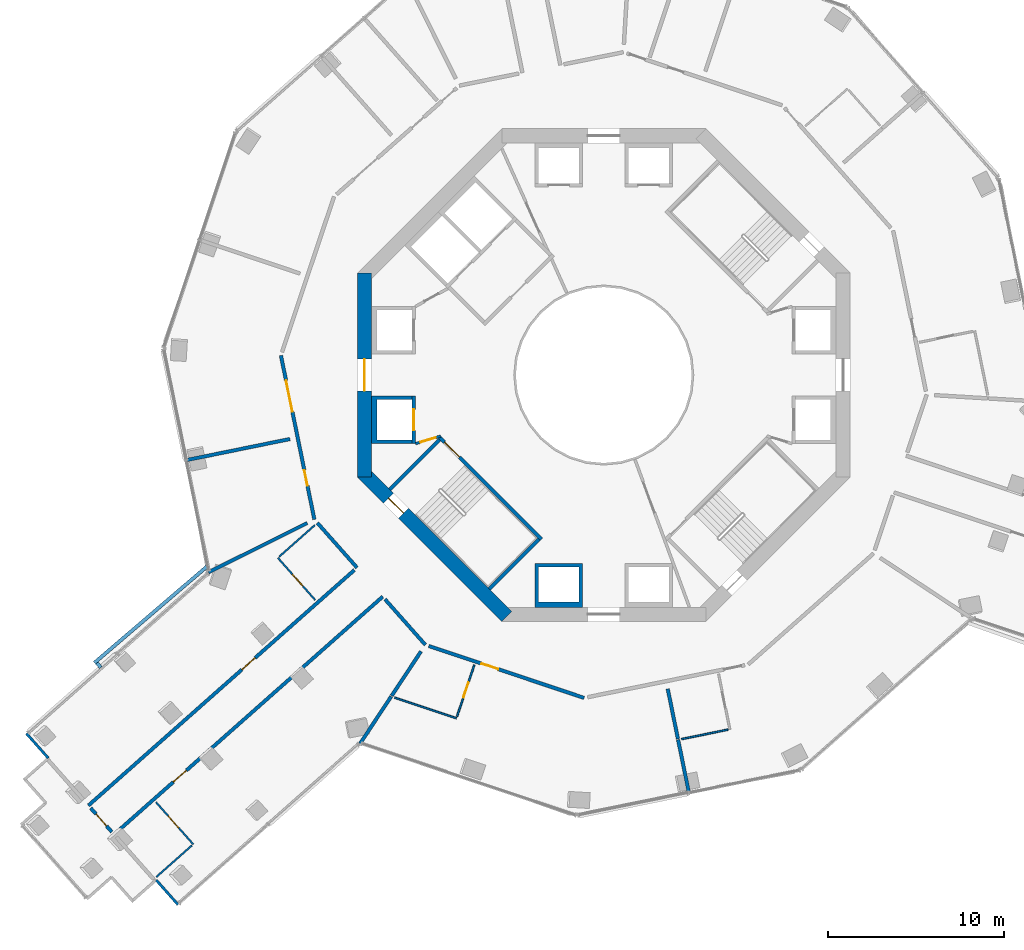
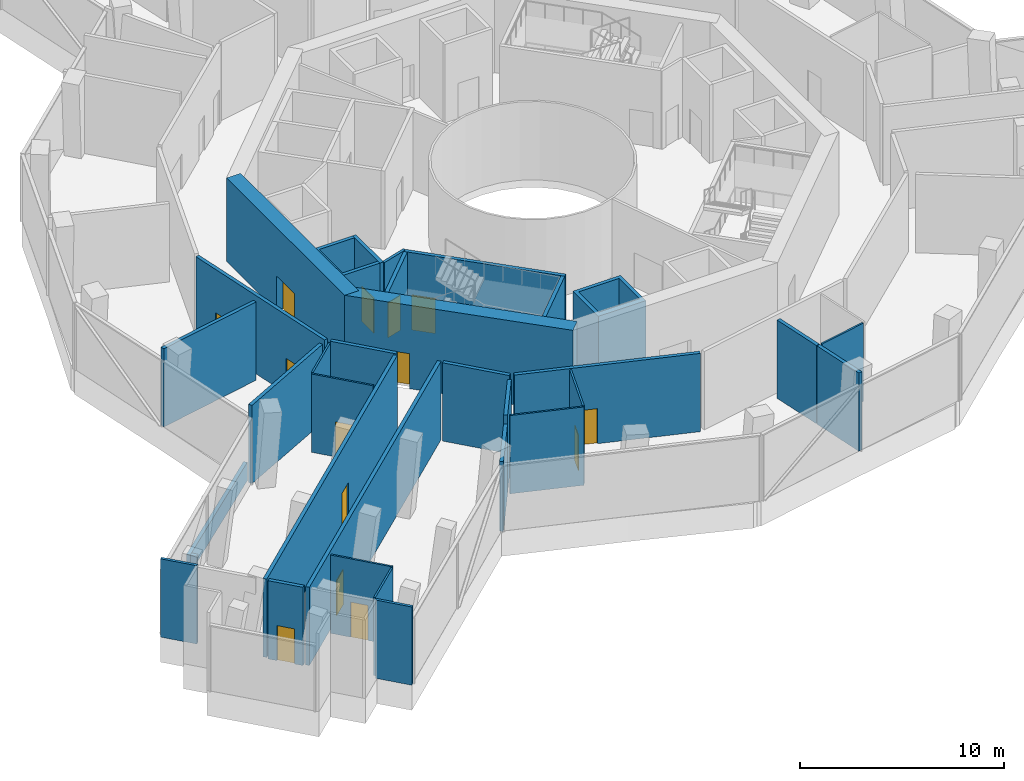
# One storey, part 10 of 20: 33 walls, 14 doors, 14 openings.
"""IFC4 building model written with IfcOpenShell, lengths in metres."""

from ifc_helpers import new_model, si_unit, direction, frame, frame_2d, origin, place, context, subcontext, project, spatial, polyline, rectangle, outline, extrude, material, layer, layer_set, type_object, element, fill, save


model = new_model("IFC4")

# Units and contexts
model_context = context("Model", 3, precision=1e-05, world=origin(), true_north=direction((0.0, 1.0)))
body_context = subcontext(model_context, "Body", "Model", "MODEL_VIEW")
ifc_project = project(units=[si_unit("LENGTHUNIT", "METRE"), si_unit("AREAUNIT", "SQUARE_METRE"), si_unit("VOLUMEUNIT", "CUBIC_METRE"), si_unit("PLANEANGLEUNIT", "RADIAN"), si_unit("MASSUNIT", "GRAM", prefix="KILO")], contexts=[model_context])

# Site, building, storey
site_placement = place(None, origin())
site = spatial("IfcSite", under=ifc_project, at=site_placement, CompositionType="ELEMENT")
building_placement = place(site_placement, origin())
building = spatial("IfcBuilding", under=site, at=building_placement, Name="Verdalira Terraces Hotel", CompositionType="ELEMENT")
storey_placement = place(building_placement, frame((0.0, 0.0, 81.0)))
storey = spatial("IfcBuildingStorey", under=building, at=storey_placement, Name="L18", CompositionType="ELEMENT", Elevation=81.0)

# Wall
ifc_material_1 = material(Name="Moisture-resistant gypsum board partition")
ifc_layer_1 = layer(ifc_material_1, 0.10009765625)
ifc_layer_set_1 = layer_set([ifc_layer_1], Name="Bathroom partition 100 mm")
wall_type_1 = type_object("IfcWallType", Name="Bathroom partition 100 mm", PredefinedType="PARTITIONING", material=ifc_layer_set_1)
wall_1_placement = place(storey_placement, frame((-23.409668, -26.73584, 0.0), z_axis=(0.0, 0.0, 1.0), x_axis=(-0.748709987, -0.662897695, 0.0)))
element("IfcWall", 1, at=wall_1_placement, inside=storey, type_object=wall_type_1, Name="Bathroom partition", PredefinedType="PARTITIONING", context=body_context, shape_type="SweptSolid", body=[
    extrude(rectangle(XDim=2.699951, YDim=0.100098, at=frame_2d((1.350098, 0.0))), origin(), (0.0, 0.0, 1.0), 4.689941),
])

# Wall, opening, door
wall_2_placement = place(storey_placement, frame((-23.334717, -26.669434, 0.0), z_axis=(0.0, 0.0, 1.0), x_axis=(-0.662884973, 0.748721252, 0.0)))
wall_2 = element("IfcWall", 2, at=wall_2_placement, inside=storey, type_object=wall_type_1, Name="Bathroom partition", PredefinedType="PARTITIONING", context=body_context, shape_type="SweptSolid", body=[
    extrude(rectangle(XDim=3.199707, YDim=0.100098, at=frame_2d((1.599854, 0.0))), origin(), (0.0, 0.0, 1.0), 4.689941),
])
opening_1_placement = place(wall_2_placement, frame((1.25, 0.0, 0.0)))
opening_1 = element("IfcOpeningElement", 3, at=opening_1_placement, cuts=wall_2, Name="Opening L18-110", PredefinedType="OPENING", context=body_context, shape_type="SweptSolid", body=[
    extrude(rectangle(XDim=0.899902, YDim=2.100098, at=frame_2d((0.449951, 1.050049))), frame((0.0, 0.060059, 0.0), z_axis=(0.0, -1.0, 0.0), x_axis=(1.0, 0.0, 0.0)), (0.0, 0.0, 1.0), 0.120117),
])
ifc_material_2 = material(Name="Timber door", Category="wood")
door_type_1 = type_object("IfcDoorType", Name="Bathroom door 900 x 2100", OperationType="NOTDEFINED", PredefinedType="DOOR", material=ifc_material_2)
door_1_placement = place(opening_1_placement, origin())
door_1 = element("IfcDoor", 4, at=door_1_placement, inside=storey, type_object=door_type_1, Name="Bathroom door 1808", OperationType="SINGLE_SWING_LEFT", OverallHeight=2.10009765625, OverallWidth=0.89990234375, PredefinedType="DOOR", context=body_context, shape_type="SweptSolid", body=[
    extrude(rectangle(XDim=0.899902, YDim=2.100098, at=frame_2d((0.449951, 1.050049))), frame((0.0, 0.024902, 0.0), z_axis=(0.0, -1.0, 0.0), x_axis=(1.0, 0.0, 0.0)), (0.0, 0.0, 1.0), 0.050049),
])
fill(opening_1, door_1)

wall_3_placement = place(storey_placement, frame((-18.525146, -10.391113, 0.0), z_axis=(0.0, 0.0, 1.0), x_axis=(0.662847106, -0.748754776, 0.0)))
wall_3 = element("IfcWall", 5, at=wall_3_placement, inside=storey, type_object=wall_type_1, Name="Bathroom partition", PredefinedType="PARTITIONING", context=body_context, shape_type="SweptSolid", body=[
    extrude(rectangle(XDim=3.199951, YDim=0.100098, at=frame_2d((1.600098, 0.0))), origin(), (0.0, 0.0, 1.0), 4.689941),
])
opening_2_placement = place(wall_3_placement, frame((1.25, 0.0, 0.0)))
opening_2 = element("IfcOpeningElement", 6, at=opening_2_placement, cuts=wall_3, Name="Opening L18-107", PredefinedType="OPENING", context=body_context, shape_type="SweptSolid", body=[
    extrude(rectangle(XDim=0.899902, YDim=2.100098, at=frame_2d((0.449951, 1.050049))), frame((0.0, 0.060059, 0.0), z_axis=(0.0, -1.0, 0.0), x_axis=(1.0, 0.0, 0.0)), (0.0, 0.0, 1.0), 0.120117),
])
door_2_placement = place(opening_2_placement, origin())
door_2 = element("IfcDoor", 7, at=door_2_placement, inside=storey, type_object=door_type_1, Name="Bathroom door 1806", OperationType="SINGLE_SWING_LEFT", OverallHeight=2.10009765625, OverallWidth=0.89990234375, PredefinedType="DOOR", context=body_context, shape_type="SweptSolid", body=[
    extrude(rectangle(XDim=0.899902, YDim=2.100098, at=frame_2d((0.449951, 1.050049))), frame((0.0, 0.024902, 0.0), z_axis=(0.0, -1.0, 0.0), x_axis=(1.0, 0.0, 0.0)), (0.0, 0.0, 1.0), 0.050049),
])
fill(opening_2, door_2)

# Walls
wall_4_placement = place(storey_placement, frame((-18.450439, -10.324707, 0.0), z_axis=(0.0, 0.0, 1.0), x_axis=(0.748749719, 0.662852818, 0.0)))
element("IfcWall", 8, at=wall_4_placement, inside=storey, type_object=wall_type_1, Name="Bathroom partition", PredefinedType="PARTITIONING", context=body_context, shape_type="SweptSolid", body=[
    extrude(rectangle(XDim=2.700195, YDim=0.100098, at=frame_2d((1.350098, 0.0))), origin(), (0.0, 0.0, 1.0), 4.689941),
])
wall_5_placement = place(storey_placement, frame((-8.374268, -19.51001, 0.0), z_axis=(0.0, 0.0, 1.0), x_axis=(-0.948432528, 0.316979083, 0.0)))
element("IfcWall", 9, at=wall_5_placement, inside=storey, type_object=wall_type_1, Name="Bathroom partition", PredefinedType="PARTITIONING", context=body_context, shape_type="SweptSolid", body=[
    extrude(rectangle(XDim=3.703857, YDim=0.100098, at=frame_2d((1.852051, 0.0))), origin(), (0.0, 0.0, 1.0), 4.689941),
])

# Wall, opening, door
wall_6_placement = place(storey_placement, frame((-8.342529, -19.415039, 0.0), z_axis=(0.0, 0.0, 1.0), x_axis=(0.316936532, 0.948446749, 0.0)))
wall_6 = element("IfcWall", 10, at=wall_6_placement, inside=storey, type_object=wall_type_1, Name="Bathroom partition", PredefinedType="PARTITIONING", context=body_context, shape_type="SweptSolid", body=[
    extrude(rectangle(XDim=3.099854, YDim=0.100098, at=frame_2d((1.549805, 0.0))), origin(), (0.0, 0.0, 1.0), 4.689941),
])
opening_3_placement = place(wall_6_placement, frame((1.149902, 0.0, 0.0)))
opening_3 = element("IfcOpeningElement", 11, at=opening_3_placement, cuts=wall_6, Name="Opening L18-112", PredefinedType="OPENING", context=body_context, shape_type="SweptSolid", body=[
    extrude(rectangle(XDim=0.899902, YDim=2.100098, at=frame_2d((0.449951, 1.050049))), frame((0.0, 0.060059, 0.0), z_axis=(0.0, -1.0, 0.0), x_axis=(1.0, 0.0, 0.0)), (0.0, 0.0, 1.0), 0.120117),
])
door_3_placement = place(opening_3_placement, origin())
door_3 = element("IfcDoor", 12, at=door_3_placement, inside=storey, type_object=door_type_1, Name="Bathroom door 1809", OperationType="SINGLE_SWING_LEFT", OverallHeight=2.10009765625, OverallWidth=0.89990234375, PredefinedType="DOOR", context=body_context, shape_type="SweptSolid", body=[
    extrude(rectangle(XDim=0.899902, YDim=2.100098, at=frame_2d((0.449951, 1.050049))), frame((0.0, 0.024902, 0.0), z_axis=(0.0, -1.0, 0.0), x_axis=(1.0, 0.0, 0.0)), (0.0, 0.0, 1.0), 0.050049),
])
fill(opening_3, door_3)

# Walls
wall_7_placement = place(storey_placement, frame((7.067139, -20.152832, 0.0), z_axis=(0.0, 0.0, 1.0), x_axis=(-0.979850669, -0.199731487, 0.0)))
element("IfcWall", 13, at=wall_7_placement, inside=storey, type_object=wall_type_1, Name="Bathroom partition", PredefinedType="PARTITIONING", context=body_context, shape_type="SweptSolid", body=[
    extrude(rectangle(XDim=2.700195, YDim=0.100098, at=frame_2d((1.350098, 0.0))), origin(), (0.0, 0.0, 1.0), 4.689941),
])
ifc_material_3 = material(Name="Concrete C50", Category="concrete")
ifc_layer_2 = layer(ifc_material_3, 0.199951171875)
ifc_layer_set_2 = layer_set([ifc_layer_2], Name="Core RC wall 200 C50")
wall_type_2 = type_object("IfcWallType", Name="Core RC wall 200 C50", PredefinedType="SOLIDWALL", material=ifc_layer_set_2)
wall_8_placement = place(storey_placement, origin())
element("IfcWall", 14, at=wall_8_placement, inside=storey, type_object=wall_type_2, Name="L18 shaft wall W2", PredefinedType="SOLIDWALL", context=body_context, shape_type="SweptSolid", body=[
    extrude(outline(polyline([(-13.199951, -3.899902), (-13.199951, -1.199951), (-10.899902, -1.199951), (-10.899902, -1.399902), (-12.899902, -1.399902), (-12.899902, -3.699951), (-10.899902, -3.699951), (-10.899902, -3.899902), (-13.199951, -3.899902)])), origin(), (0.0, 0.0, 1.0), 4.689941),
])

# Wall, opening, door
wall_9_placement = place(storey_placement, frame((-10.800049, -1.199951, 0.0), z_axis=(0.0, 0.0, 1.0), x_axis=(0.0, -1.0, 0.0)))
wall_9 = element("IfcWall", 15, at=wall_9_placement, inside=storey, type_object=wall_type_2, Name="L18 shaft front wall W2", PredefinedType="SOLIDWALL", context=body_context, shape_type="SweptSolid", body=[
    extrude(rectangle(XDim=2.699951, YDim=0.199951, at=frame_2d((1.350098, 0.0))), origin(), (0.0, 0.0, 1.0), 4.689941),
])
opening_4_placement = place(wall_9_placement, frame((0.75, 0.0, 0.0)))
opening_4 = element("IfcOpeningElement", 16, at=opening_4_placement, cuts=wall_9, Name="Opening LD-L18-806", PredefinedType="OPENING", context=body_context, shape_type="SweptSolid", body=[
    extrude(rectangle(XDim=1.199951, YDim=2.100098, at=frame_2d((0.600098, 1.050049))), frame((0.0, 0.109863, 0.0), z_axis=(0.0, -1.0, 0.0), x_axis=(1.0, 0.0, 0.0)), (0.0, 0.0, 1.0), 0.219971),
])
ifc_material_4 = material(Name="Stainless steel", Category="steel")
door_type_2 = type_object("IfcDoorType", Name="Landing door 1200 x 2100", OperationType="NOTDEFINED", PredefinedType="DOOR", material=ifc_material_4)
door_4_placement = place(opening_4_placement, origin())
door_4 = element("IfcDoor", 17, at=door_4_placement, inside=storey, type_object=door_type_2, Name="Lift landing door LR6 L18", OperationType="DOUBLE_DOOR_SLIDING", OverallHeight=2.10009765625, OverallWidth=1.199951171875, PredefinedType="DOOR", context=body_context, shape_type="SweptSolid", body=[
    extrude(rectangle(XDim=1.199951, YDim=2.100098, at=frame_2d((0.600098, 1.050049))), frame((0.0, 0.024902, 0.0), z_axis=(0.0, -1.0, 0.0), x_axis=(1.0, 0.0, 0.0)), (0.0, 0.0, 1.0), 0.050049),
])
fill(opening_4, door_4)

# Wall
wall_10_placement = place(storey_placement, origin())
element("IfcWall", 18, at=wall_10_placement, inside=storey, type_object=wall_type_2, Name="L18 shaft wall S1", PredefinedType="SOLIDWALL", context=body_context, shape_type="SweptSolid", body=[
    extrude(outline(polyline([(-1.199951, -13.199951), (-3.899902, -13.199951), (-3.899902, -10.699951), (-1.199951, -10.699951), (-1.199951, -13.199951)]), holes=[polyline([(-3.699951, -10.899902), (-3.699951, -12.899902), (-1.399902, -12.899902), (-1.399902, -10.899902), (-3.699951, -10.899902)])]), origin(), (0.0, 0.0, 1.0), 4.689941),
])

# Wall, opening, door
wall_11_placement = place(storey_placement, frame((-3.5354, -9.33374, 0.0), z_axis=(0.0, 0.0, 1.0), x_axis=(-0.707106781, 0.707106781, 0.0)))
wall_11 = element("IfcWall", 19, at=wall_11_placement, inside=storey, type_object=wall_type_2, Name="L18 stair ST2 front wall", PredefinedType="SOLIDWALL", context=body_context, shape_type="SweptSolid", body=[
    extrude(rectangle(XDim=8.200195, YDim=0.199951, at=frame_2d((4.100098, 0.0))), origin(), (0.0, 0.0, 1.0), 4.689941),
])
opening_5_placement = place(wall_11_placement, frame((6.600098, 0.0, 0.0)))
opening_5 = element("IfcOpeningElement", 20, at=opening_5_placement, cuts=wall_11, Name="Opening L18-810", PredefinedType="OPENING", context=body_context, shape_type="SweptSolid", body=[
    extrude(rectangle(XDim=1.199951, YDim=2.100098, at=frame_2d((0.600098, 1.050049))), frame((0.0, 0.109863, 0.0), z_axis=(0.0, -1.0, 0.0), x_axis=(1.0, 0.0, 0.0)), (0.0, 0.0, 1.0), 0.219971),
])
ifc_material_5 = material(Name="Steel fire door", Category="steel")
door_type_3 = type_object("IfcDoorType", Name="Stair door 1200 x 2100", OperationType="NOTDEFINED", PredefinedType="DOOR", material=ifc_material_5)
door_5_placement = place(opening_5_placement, origin())
door_5 = element("IfcDoor", 21, at=door_5_placement, inside=storey, type_object=door_type_3, Name="Stair door ST2 L18", OperationType="SINGLE_SWING_RIGHT", OverallHeight=2.10009765625, OverallWidth=1.199951171875, PredefinedType="DOOR", context=body_context, shape_type="SweptSolid", body=[
    extrude(rectangle(XDim=1.199951, YDim=2.100098, at=frame_2d((0.600098, 1.050049))), frame((0.0, 0.024902, 0.0), z_axis=(0.0, -1.0, 0.0), x_axis=(1.0, 0.0, 0.0)), (0.0, 0.0, 1.0), 0.050049),
])
fill(opening_5, door_5)

# Walls
for number, where, z_axis, x_axis, name in (
    (22, (-9.33374, -3.677002, 0.0), (0.0, 0.0, 1.0), (-0.707106781, -0.707106781, 0.0), "L18 stair ST2 end wall 1"),
    (23, (-3.677002, -9.33374, 0.0), (0.0, 0.0, 1.0), (-0.707106781, -0.707106781, 0.0), "L18 stair ST2 end wall 2"),
):
    element("IfcWall", number, at=place(storey_placement, frame(where, z_axis=z_axis, x_axis=x_axis)), inside=storey, type_object=wall_type_2, Name=name, PredefinedType="SOLIDWALL", context=body_context, shape_type="SweptSolid", body=[
        extrude(rectangle(XDim=4.0, YDim=0.199951, at=frame_2d((2.0, 0.0))), origin(), (0.0, 0.0, 1.0), 4.689941),
    ])

# Wall, opening, door
ifc_material_6 = material(Name="Gypsum board partition")
ifc_layer_3 = layer(ifc_material_6, 0.14990234375)
ifc_layer_set_3 = layer_set([ifc_layer_3], Name="Core partition 150 mm")
wall_type_3 = type_object("IfcWallType", Name="Core partition 150 mm", PredefinedType="PARTITIONING", material=ifc_layer_set_3)
wall_12_placement = place(storey_placement, frame((-10.699951, -3.899902, 0.0), z_axis=(0.0, 0.0, 1.0), x_axis=(0.957084567, 0.289808785, 0.0)))
wall_12 = element("IfcWall", 24, at=wall_12_placement, inside=storey, type_object=wall_type_3, Name="Room partition L18", PredefinedType="PARTITIONING", context=body_context, shape_type="SweptSolid", body=[
    extrude(rectangle(XDim=1.501221, YDim=0.149902, at=frame_2d((0.750488, 0.0))), origin(), (0.0, 0.0, 1.0), 4.689941),
])
opening_6_placement = place(wall_12_placement, frame((0.300781, 0.0, 0.0)))
opening_6 = element("IfcOpeningElement", 25, at=opening_6_placement, cuts=wall_12, Name="Opening L18-822", PredefinedType="OPENING", context=body_context, shape_type="SweptSolid", body=[
    extrude(rectangle(XDim=0.899902, YDim=2.100098, at=frame_2d((0.449951, 1.050049))), frame((0.0, 0.084961, 0.0), z_axis=(0.0, -1.0, 0.0), x_axis=(1.0, 0.0, 0.0)), (0.0, 0.0, 1.0), 0.169922),
])
ifc_material_7 = material(Name="Steel fire door", Category="steel")
door_type_4 = type_object("IfcDoorType", Name="Core room door 900 x 2100", OperationType="NOTDEFINED", PredefinedType="DOOR", material=ifc_material_7)
door_6_placement = place(opening_6_placement, origin())
door_6 = element("IfcDoor", 26, at=door_6_placement, inside=storey, type_object=door_type_4, Name="Door L18 room4", OperationType="SINGLE_SWING_LEFT", OverallHeight=2.10009765625, OverallWidth=0.89990234375, PredefinedType="DOOR", context=body_context, shape_type="SweptSolid", body=[
    extrude(rectangle(XDim=0.899902, YDim=2.100098, at=frame_2d((0.449951, 1.050049))), frame((0.0, 0.024902, 0.0), z_axis=(0.0, -1.0, 0.0), x_axis=(1.0, 0.0, 0.0)), (0.0, 0.0, 1.0), 0.050049),
])
fill(opening_6, door_6)

ifc_material_8 = material(Name="Concrete C70", Category="concrete")
ifc_layer_4 = layer(ifc_material_8, 0.800048828125)
ifc_layer_set_4 = layer_set([ifc_layer_4], Name="Core wall 800 C70")
wall_type_4 = type_object("IfcWallType", Name="Core wall 800 C70", PredefinedType="SHEAR", material=ifc_layer_set_4)
wall_13_placement = place(storey_placement, frame((-13.600098, 5.799072, 0.0), z_axis=(0.0, 0.0, 1.0), x_axis=(0.0, -1.0, 0.0)))
wall_13 = element("IfcWall", 27, at=wall_13_placement, inside=storey, type_object=wall_type_4, Name="Core wall CW-L18-5", PredefinedType="SHEAR", context=body_context, shape_type="SweptSolid", body=[
    extrude(rectangle(XDim=11.598145, YDim=0.800049, at=frame_2d((5.799072, 0.0))), origin(), (0.0, 0.0, 1.0), 5.0),
])
opening_7_placement = place(wall_13_placement, frame((4.898926, 0.0, 0.0)))
opening_7 = element("IfcOpeningElement", 28, at=opening_7_placement, cuts=wall_13, Name="Opening L18-814", PredefinedType="OPENING", context=body_context, shape_type="SweptSolid", body=[
    extrude(rectangle(XDim=1.800049, YDim=2.100098, at=frame_2d((0.899902, 1.050049))), frame((0.0, 0.409912, 0.0), z_axis=(0.0, -1.0, 0.0), x_axis=(1.0, 0.0, 0.0)), (0.0, 0.0, 1.0), 0.820068),
])
ifc_material_9 = material(Name="Steel fire door", Category="steel")
door_type_5 = type_object("IfcDoorType", Name="Core entry door pair 1800 x 2100", OperationType="NOTDEFINED", PredefinedType="DOOR", material=ifc_material_9)
door_7_placement = place(opening_7_placement, origin())
door_7 = element("IfcDoor", 29, at=door_7_placement, inside=storey, type_object=door_type_5, Name="Core entry door L18 4", OperationType="DOUBLE_DOOR_SINGLE_SWING", OverallHeight=2.10009765625, OverallWidth=1.800048828125, PredefinedType="DOOR", context=body_context, shape_type="SweptSolid", body=[
    extrude(rectangle(XDim=1.800049, YDim=2.100098, at=frame_2d((0.899902, 1.050049))), frame((0.0, 0.024902, 0.0), z_axis=(0.0, -1.0, 0.0), x_axis=(1.0, 0.0, 0.0)), (0.0, 0.0, 1.0), 0.050049),
])
fill(opening_7, door_7)

wall_14_placement = place(storey_placement, frame((-13.717285, -5.516113, 0.0), z_axis=(0.0, 0.0, 1.0), x_axis=(0.707106781, -0.707106781, 0.0)))
wall_14 = element("IfcWall", 30, at=wall_14_placement, inside=storey, type_object=wall_type_4, Name="Core wall CW-L18-6", PredefinedType="SHEAR", context=body_context, shape_type="SweptSolid", body=[
    extrude(rectangle(XDim=11.598145, YDim=0.800049, at=frame_2d((5.799072, 0.0))), origin(), (0.0, 0.0, 1.0), 5.0),
])
opening_8_placement = place(wall_14_placement, frame((2.099121, 0.0, 0.0)))
opening_8 = element("IfcOpeningElement", 31, at=opening_8_placement, cuts=wall_14, Name="Opening L18-817", PredefinedType="OPENING", context=body_context, shape_type="SweptSolid", body=[
    extrude(rectangle(XDim=1.199951, YDim=2.100098, at=frame_2d((0.600098, 1.050049))), frame((0.0, 0.409912, 0.0), z_axis=(0.0, -1.0, 0.0), x_axis=(1.0, 0.0, 0.0)), (0.0, 0.0, 1.0), 0.820068),
])
door_8_placement = place(opening_8_placement, origin())
door_8 = element("IfcDoor", 32, at=door_8_placement, inside=storey, type_object=door_type_3, Name="Stair exit door ST2 L18", OperationType="SINGLE_SWING_LEFT", OverallHeight=2.10009765625, OverallWidth=1.199951171875, PredefinedType="DOOR", context=body_context, shape_type="SweptSolid", body=[
    extrude(rectangle(XDim=1.199951, YDim=2.100098, at=frame_2d((0.600098, 1.050049))), frame((0.0, 0.024902, 0.0), z_axis=(0.0, -1.0, 0.0), x_axis=(1.0, 0.0, 0.0)), (0.0, 0.0, 1.0), 0.050049),
])
fill(opening_8, door_8)

# Walls
ifc_material_10 = material(Name="Fire-rated gypsum board wall")
ifc_layer_5 = layer(ifc_material_10, 0.199951171875)
ifc_layer_set_5 = layer_set([ifc_layer_5], Name="Demising wall 200 mm")
wall_type_5 = type_object("IfcWallType", Name="Demising wall 200 mm", PredefinedType="SOLIDWALL", material=ifc_layer_set_5)
wall_15_placement = place(storey_placement, frame((-10.388672, -15.70752, 0.0), z_axis=(0.0, 0.0, 1.0), x_axis=(-0.55164151, -0.834081318, 0.0)))
element("IfcWall", 33, at=wall_15_placement, inside=storey, type_object=wall_type_5, Name="Demising wall", PredefinedType="SOLIDWALL", context=body_context, shape_type="SweptSolid", body=[
    extrude(rectangle(XDim=3.024414, YDim=0.199951, at=frame_2d((1.512207, 0.0))), origin(), (0.0, 0.0, 1.0), 4.689941),
])
wall_16_placement = place(storey_placement, frame((3.635742, -17.838867, 0.0), z_axis=(0.0, 0.0, 1.0), x_axis=(0.199703116, -0.979856451, 0.0)))
element("IfcWall", 34, at=wall_16_placement, inside=storey, type_object=wall_type_5, Name="Demising wall", PredefinedType="SOLIDWALL", context=body_context, shape_type="SweptSolid", body=[
    extrude(rectangle(XDim=2.904785, YDim=0.199951, at=frame_2d((1.452393, 0.0))), origin(), (0.0, 0.0, 1.0), 4.689941),
])
wall_17_placement = place(storey_placement, frame((4.225098, -20.72998, 0.0), z_axis=(0.0, 0.0, 1.0), x_axis=(0.199671653, -0.979862863, 0.0)))
element("IfcWall", 35, at=wall_17_placement, inside=storey, type_object=wall_type_5, Name="Demising wall", PredefinedType="SOLIDWALL", context=body_context, shape_type="SweptSolid", body=[
    extrude(rectangle(XDim=3.102051, YDim=0.199951, at=frame_2d((1.551025, 0.0))), origin(), (0.0, 0.0, 1.0), 4.689941),
])
ifc_material_11 = material(Name="Fire-rated gypsum board wall")
ifc_layer_6 = layer(ifc_material_11, 0.199951171875)
ifc_layer_set_6 = layer_set([ifc_layer_6], Name="Demising wall 200 mm to beam soffit")
wall_type_6 = type_object("IfcWallType", Name="Demising wall 200 mm to beam soffit", PredefinedType="SOLIDWALL", material=ifc_layer_set_6)
wall_18_placement = place(storey_placement, frame((-12.08252, -18.268555, 0.0), z_axis=(0.0, 0.0, 1.0), x_axis=(-0.551643732, -0.834079848, 0.0)))
element("IfcWall", 36, at=wall_18_placement, inside=storey, type_object=wall_type_6, Name="Demising wall", PredefinedType="SOLIDWALL", context=body_context, shape_type="SweptSolid", body=[
    extrude(rectangle(XDim=3.211182, YDim=0.199951, at=frame_2d((1.605469, 0.0))), origin(), (0.0, 0.0, 1.0), 4.189941),
])

# Wall, opening, door
ifc_material_12 = material(Name="Fire-rated gypsum board wall")
ifc_layer_7 = layer(ifc_material_12, 0.199951171875)
ifc_layer_set_7 = layer_set([ifc_layer_7], Name="Guest corridor wall 200 mm")
wall_type_7 = type_object("IfcWallType", Name="Guest corridor wall 200 mm", PredefinedType="SOLIDWALL", material=ifc_layer_set_7)
wall_19_placement = place(storey_placement, frame((-27.96582, -25.964355, 0.0), z_axis=(0.0, 0.0, 1.0), x_axis=(-0.662909577, 0.748699467, 0.0)))
wall_19 = element("IfcWall", 37, at=wall_19_placement, inside=storey, type_object=wall_type_7, Name="Guest corridor wall", PredefinedType="SOLIDWALL", context=body_context, shape_type="SweptSolid", body=[
    extrude(rectangle(XDim=1.804199, YDim=0.199951, at=frame_2d((0.9021, 0.0))), origin(), (0.0, 0.0, 1.0), 4.689941),
])
opening_9_placement = place(wall_19_placement, frame((0.449951, 0.0, 0.0)))
opening_9 = element("IfcOpeningElement", 38, at=opening_9_placement, cuts=wall_19, Name="Opening L18-108", PredefinedType="OPENING", context=body_context, shape_type="SweptSolid", body=[
    extrude(rectangle(XDim=0.899902, YDim=2.100098, at=frame_2d((0.449951, 1.050049))), frame((0.0, 0.109863, 0.0), z_axis=(0.0, -1.0, 0.0), x_axis=(1.0, 0.0, 0.0)), (0.0, 0.0, 1.0), 0.219971),
])
ifc_material_13 = material(Name="Steel fire door", Category="steel")
door_type_6 = type_object("IfcDoorType", Name="Service room door 900 x 2100", OperationType="NOTDEFINED", PredefinedType="DOOR", material=ifc_material_13)
door_9_placement = place(opening_9_placement, origin())
door_9 = element("IfcDoor", 39, at=door_9_placement, inside=storey, type_object=door_type_6, Name="Service room door 1807", OperationType="SINGLE_SWING_LEFT", OverallHeight=2.10009765625, OverallWidth=0.89990234375, PredefinedType="DOOR", context=body_context, shape_type="SweptSolid", body=[
    extrude(rectangle(XDim=0.899902, YDim=2.100098, at=frame_2d((0.449951, 1.050049))), frame((0.0, 0.024902, 0.0), z_axis=(0.0, -1.0, 0.0), x_axis=(1.0, 0.0, 0.0)), (0.0, 0.0, 1.0), 0.050049),
])
fill(opening_9, door_9)

wall_20_placement = place(storey_placement, frame((-29.292969, -24.465332, 0.0), z_axis=(0.0, 0.0, 1.0), x_axis=(0.74872671, 0.662878808, 0.0)))
wall_20 = element("IfcWall", 40, at=wall_20_placement, inside=storey, type_object=wall_type_7, Name="Guest corridor wall", PredefinedType="SOLIDWALL", context=body_context, shape_type="SweptSolid", body=[
    extrude(rectangle(XDim=20.191406, YDim=0.199951, at=frame_2d((10.095703, 0.0))), origin(), (0.0, 0.0, 1.0), 4.689941),
])
opening_10_placement = place(wall_20_placement, frame((11.649902, 0.0, 0.0)))
opening_10 = element("IfcOpeningElement", 41, at=opening_10_placement, cuts=wall_20, Name="Opening L18-106", PredefinedType="OPENING", context=body_context, shape_type="SweptSolid", body=[
    extrude(rectangle(XDim=1.0, YDim=2.100098, at=frame_2d((0.5, 1.050049))), frame((0.0, 0.109863, 0.0), z_axis=(0.0, -1.0, 0.0), x_axis=(1.0, 0.0, 0.0)), (0.0, 0.0, 1.0), 0.219971),
])
ifc_material_14 = material(Name="Timber fire door", Category="wood")
door_type_7 = type_object("IfcDoorType", Name="Guest entry door 1000 x 2100", OperationType="NOTDEFINED", PredefinedType="DOOR", material=ifc_material_14)
door_10_placement = place(opening_10_placement, origin())
door_10 = element("IfcDoor", 42, at=door_10_placement, inside=storey, type_object=door_type_7, Name="Guest entry door 1806", OperationType="SINGLE_SWING_LEFT", OverallHeight=2.10009765625, OverallWidth=1.0, PredefinedType="DOOR", context=body_context, shape_type="SweptSolid", body=[
    extrude(rectangle(XDim=1.0, YDim=2.100098, at=frame_2d((0.5, 1.050049))), frame((0.0, 0.024902, 0.0), z_axis=(0.0, -1.0, 0.0), x_axis=(1.0, 0.0, 0.0)), (0.0, 0.0, 1.0), 0.050049),
])
fill(opening_10, door_10)

wall_21_placement = place(storey_placement, frame((-12.566895, -12.595215, 0.0), z_axis=(0.0, 0.0, 1.0), x_axis=(-0.748724331, -0.662881495, 0.0)))
wall_21 = element("IfcWall", 43, at=wall_21_placement, inside=storey, type_object=wall_type_7, Name="Guest corridor wall", PredefinedType="SOLIDWALL", context=body_context, shape_type="SweptSolid", body=[
    extrude(rectangle(XDim=20.391846, YDim=0.199951, at=frame_2d((10.195801, 0.0))), origin(), (0.0, 0.0, 1.0), 4.689941),
])
opening_11_placement = place(wall_21_placement, frame((14.899902, 0.0, 0.0)))
opening_11 = element("IfcOpeningElement", 44, at=opening_11_placement, cuts=wall_21, Name="Opening L18-109", PredefinedType="OPENING", context=body_context, shape_type="SweptSolid", body=[
    extrude(rectangle(XDim=1.0, YDim=2.100098, at=frame_2d((0.5, 1.050049))), frame((0.0, 0.109863, 0.0), z_axis=(0.0, -1.0, 0.0), x_axis=(1.0, 0.0, 0.0)), (0.0, 0.0, 1.0), 0.219971),
])
door_11_placement = place(opening_11_placement, origin())
door_11 = element("IfcDoor", 45, at=door_11_placement, inside=storey, type_object=door_type_7, Name="Guest entry door 1808", OperationType="SINGLE_SWING_LEFT", OverallHeight=2.10009765625, OverallWidth=1.0, PredefinedType="DOOR", context=body_context, shape_type="SweptSolid", body=[
    extrude(rectangle(XDim=1.0, YDim=2.100098, at=frame_2d((0.5, 1.050049))), frame((0.0, 0.024902, 0.0), z_axis=(0.0, -1.0, 0.0), x_axis=(1.0, 0.0, 0.0)), (0.0, 0.0, 1.0), 0.050049),
])
fill(opening_11, door_11)

# Wall, openings, doors
wall_22_placement = place(storey_placement, frame((-16.450195, -8.208984, 0.0), z_axis=(0.0, 0.0, 1.0), x_axis=(-0.199726278, 0.979851731, 0.0)))
wall_22 = element("IfcWall", 46, at=wall_22_placement, inside=storey, type_object=wall_type_7, Name="Guest corridor wall", PredefinedType="SOLIDWALL", context=body_context, shape_type="SweptSolid", body=[
    extrude(rectangle(XDim=9.516113, YDim=0.199951, at=frame_2d((4.758057, 0.0))), origin(), (0.0, 0.0, 1.0), 4.689941),
])
opening_12_placement = place(wall_22_placement, frame((6.258301, 0.0, 0.0)))
opening_12 = element("IfcOpeningElement", 47, at=opening_12_placement, cuts=wall_22, Name="Opening L18-104", PredefinedType="OPENING", context=body_context, shape_type="SweptSolid", body=[
    extrude(rectangle(XDim=1.800049, YDim=2.100098, at=frame_2d((0.899902, 1.050049))), frame((0.0, 0.109863, 0.0), z_axis=(0.0, -1.0, 0.0), x_axis=(1.0, 0.0, 0.0)), (0.0, 0.0, 1.0), 0.219971),
])
opening_13_placement = place(wall_22_placement, frame((1.949951, 0.0, 0.0)))
opening_13 = element("IfcOpeningElement", 48, at=opening_13_placement, cuts=wall_22, Name="Opening L18-105", PredefinedType="OPENING", context=body_context, shape_type="SweptSolid", body=[
    extrude(rectangle(XDim=0.899902, YDim=2.100098, at=frame_2d((0.449951, 1.050049))), frame((0.0, 0.109863, 0.0), z_axis=(0.0, -1.0, 0.0), x_axis=(1.0, 0.0, 0.0)), (0.0, 0.0, 1.0), 0.219971),
])
ifc_material_15 = material(Name="Timber fire door", Category="wood")
door_type_8 = type_object("IfcDoorType", Name="Public room double door 1800 x 2100", OperationType="NOTDEFINED", PredefinedType="DOOR", material=ifc_material_15)
door_12_placement = place(opening_12_placement, origin())
door_12 = element("IfcDoor", 49, at=door_12_placement, inside=storey, type_object=door_type_8, Name="Public room double door 1804", OperationType="DOUBLE_DOOR_SINGLE_SWING", OverallHeight=2.10009765625, OverallWidth=1.800048828125, PredefinedType="DOOR", context=body_context, shape_type="SweptSolid", body=[
    extrude(rectangle(XDim=1.800049, YDim=2.100098, at=frame_2d((0.899902, 1.050049))), frame((0.0, 0.024902, 0.0), z_axis=(0.0, -1.0, 0.0), x_axis=(1.0, 0.0, 0.0)), (0.0, 0.0, 1.0), 0.050049),
])
fill(opening_12, door_12)
door_13_placement = place(opening_13_placement, origin())
door_13 = element("IfcDoor", 50, at=door_13_placement, inside=storey, type_object=door_type_6, Name="Service room door 1805", OperationType="SINGLE_SWING_LEFT", OverallHeight=2.10009765625, OverallWidth=0.89990234375, PredefinedType="DOOR", context=body_context, shape_type="SweptSolid", body=[
    extrude(rectangle(XDim=0.899902, YDim=2.100098, at=frame_2d((0.449951, 1.050049))), frame((0.0, 0.024902, 0.0), z_axis=(0.0, -1.0, 0.0), x_axis=(1.0, 0.0, 0.0)), (0.0, 0.0, 1.0), 0.050049),
])
fill(opening_13, door_13)

# Walls
wall_23_placement = place(storey_placement, frame((-16.279053, -8.402344, 0.0), z_axis=(0.0, 0.0, 1.0), x_axis=(0.66286047, -0.748742945, 0.0)))
element("IfcWall", 51, at=wall_23_placement, inside=storey, type_object=wall_type_7, Name="Guest corridor wall", PredefinedType="SOLIDWALL", context=body_context, shape_type="SweptSolid", body=[
    extrude(rectangle(XDim=3.399902, YDim=0.199951, at=frame_2d((1.699951, 0.0))), origin(), (0.0, 0.0, 1.0), 4.689941),
])
wall_24_placement = place(storey_placement, frame((-12.434326, -12.745117, 0.0), z_axis=(0.0, 0.0, 1.0), x_axis=(0.662916551, -0.748693293, 0.0)))
element("IfcWall", 52, at=wall_24_placement, inside=storey, type_object=wall_type_7, Name="Guest corridor wall", PredefinedType="SOLIDWALL", context=body_context, shape_type="SweptSolid", body=[
    extrude(rectangle(XDim=3.458252, YDim=0.199951, at=frame_2d((1.729004, 0.0))), origin(), (0.0, 0.0, 1.0), 4.689941),
])

# Wall, opening, door
wall_25_placement = place(storey_placement, frame((-1.116455, -18.350586, 0.0), z_axis=(0.0, 0.0, 1.0), x_axis=(-0.94843667, 0.316966691, 0.0)))
wall_25 = element("IfcWall", 53, at=wall_25_placement, inside=storey, type_object=wall_type_7, Name="Guest corridor wall", PredefinedType="SOLIDWALL", context=body_context, shape_type="SweptSolid", body=[
    extrude(rectangle(XDim=9.316162, YDim=0.199951, at=frame_2d((4.658203, 0.0))), origin(), (0.0, 0.0, 1.0), 4.689941),
])
opening_14_placement = place(wall_25_placement, frame((5.149902, 0.0, 0.0)))
opening_14 = element("IfcOpeningElement", 54, at=opening_14_placement, cuts=wall_25, Name="Opening L18-111", PredefinedType="OPENING", context=body_context, shape_type="SweptSolid", body=[
    extrude(rectangle(XDim=1.0, YDim=2.100098, at=frame_2d((0.5, 1.050049))), frame((0.0, 0.109863, 0.0), z_axis=(0.0, -1.0, 0.0), x_axis=(1.0, 0.0, 0.0)), (0.0, 0.0, 1.0), 0.219971),
])
door_14_placement = place(opening_14_placement, origin())
door_14 = element("IfcDoor", 55, at=door_14_placement, inside=storey, type_object=door_type_7, Name="Guest entry door 1809", OperationType="SINGLE_SWING_LEFT", OverallHeight=2.10009765625, OverallWidth=1.0, PredefinedType="DOOR", context=body_context, shape_type="SweptSolid", body=[
    extrude(rectangle(XDim=1.0, YDim=2.100098, at=frame_2d((0.5, 1.050049))), frame((0.0, 0.024902, 0.0), z_axis=(0.0, -1.0, 0.0), x_axis=(1.0, 0.0, 0.0)), (0.0, 0.0, 1.0), 0.050049),
])
fill(opening_14, door_14)

# Walls
ifc_material_16 = material(Name="Fire-rated gypsum board wall")
ifc_layer_8 = layer(ifc_material_16, 0.199951171875)
ifc_layer_set_8 = layer_set([ifc_layer_8], Name="Service room wall 200 mm")
wall_type_8 = type_object("IfcWallType", Name="Service room wall 200 mm", PredefinedType="SOLIDWALL", material=ifc_layer_set_8)
wall_26_placement = place(storey_placement, frame((-17.838867, -3.635742, 0.0), z_axis=(0.0, 0.0, 1.0), x_axis=(-0.979855797, -0.199706325, 0.0)))
element("IfcWall", 56, at=wall_26_placement, inside=storey, type_object=wall_type_8, Name="Service room wall", PredefinedType="SOLIDWALL", context=body_context, shape_type="SweptSolid", body=[
    extrude(rectangle(XDim=6.05249, YDim=0.199951, at=frame_2d((3.026367, 0.0))), origin(), (0.0, 0.0, 1.0), 4.689941),
])
wall_27_placement = place(storey_placement, frame((-16.850586, -8.408691, 0.0), z_axis=(0.0, 0.0, 1.0), x_axis=(-0.894776698, -0.446513898, 0.0)))
element("IfcWall", 57, at=wall_27_placement, inside=storey, type_object=wall_type_8, Name="Service room wall", PredefinedType="SOLIDWALL", context=body_context, shape_type="SweptSolid", body=[
    extrude(rectangle(XDim=6.281738, YDim=0.199951, at=frame_2d((3.140869, 0.0))), origin(), (0.0, 0.0, 1.0), 4.689941),
])
ifc_material_17 = material(Name="Terracotta cladding", Category="masonry")
ifc_layer_9 = layer(ifc_material_17, 0.199951171875)
ifc_layer_set_9 = layer_set([ifc_layer_9], Name="Terracotta clad parapet 200")
wall_type_9 = type_object("IfcWallType", Name="Terracotta clad parapet 200", PredefinedType="PARAPET", material=ifc_layer_set_9)
wall_28_placement = place(storey_placement, frame((-22.553467, -10.879395, 0.0), z_axis=(0.0, 0.0, 1.0), x_axis=(-0.759731275, -0.65023718, 0.0)))
element("IfcWall", 58, at=wall_28_placement, inside=storey, type_object=wall_type_9, Name="Terracotta clad parapet", PredefinedType="PARAPET", context=body_context, shape_type="SweptSolid", body=[
    extrude(rectangle(XDim=8.419434, YDim=0.199951, at=frame_2d((4.209717, 0.0))), origin(), (0.0, 0.0, 1.0), 1.100098),
])
wall_29_placement = place(storey_placement, frame((-28.809082, -16.36499, 0.0), z_axis=(0.0, 0.0, 1.0), x_axis=(0.650205334, -0.75975853, 0.0)))
element("IfcWall", 59, at=wall_29_placement, inside=storey, type_object=wall_type_9, Name="Terracotta clad parapet", PredefinedType="PARAPET", context=body_context, shape_type="SweptSolid", body=[
    extrude(rectangle(XDim=0.343262, YDim=0.199951, at=frame_2d((0.171631, 0.0))), origin(), (0.0, 0.0, 1.0), 1.100098),
])
ifc_material_18 = material(Name="Terracotta cladding", Category="masonry")
ifc_layer_10 = layer(ifc_material_18, 0.14990234375)
ifc_layer_set_10 = layer_set([ifc_layer_10], Name="Terracotta clad wall 150")
wall_type_10 = type_object("IfcWallType", Name="Terracotta clad wall 150", PredefinedType="SOLIDWALL", material=ifc_layer_set_10)
for number, where, z_axis, x_axis, name in (
    (60, (-32.816406, -20.372559, 0.0), (0.0, 0.0, 1.0), (0.662899723, -0.748708192, 0.0), "Terracotta cladding wall"),
    (61, (-25.441895, -28.702148, 0.0), (0.0, 0.0, 1.0), (0.662899723, -0.748708192, 0.0), "Terracotta cladding wall"),
):
    element("IfcWall", number, at=place(storey_placement, frame(where, z_axis=z_axis, x_axis=x_axis)), inside=storey, type_object=wall_type_10, Name=name, PredefinedType="SOLIDWALL", context=body_context, shape_type="SweptSolid", body=[
        extrude(rectangle(XDim=1.875, YDim=0.149902, at=frame_2d((0.9375, 0.0))), origin(), (0.0, 0.0, 1.0), 4.689941),
    ])

save(model, "model.ifc")
